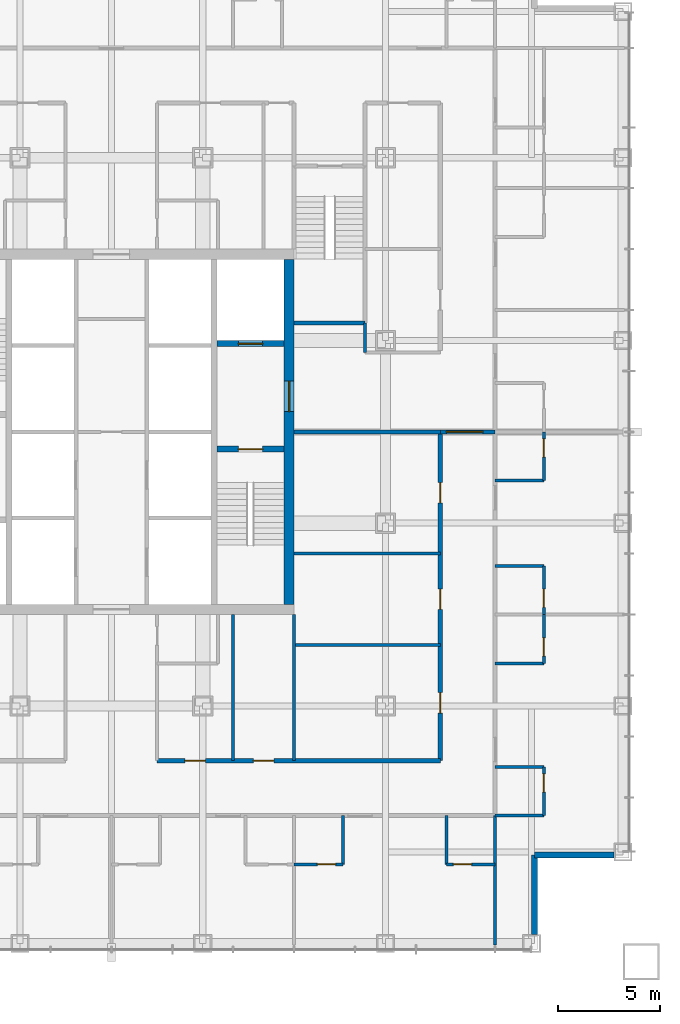
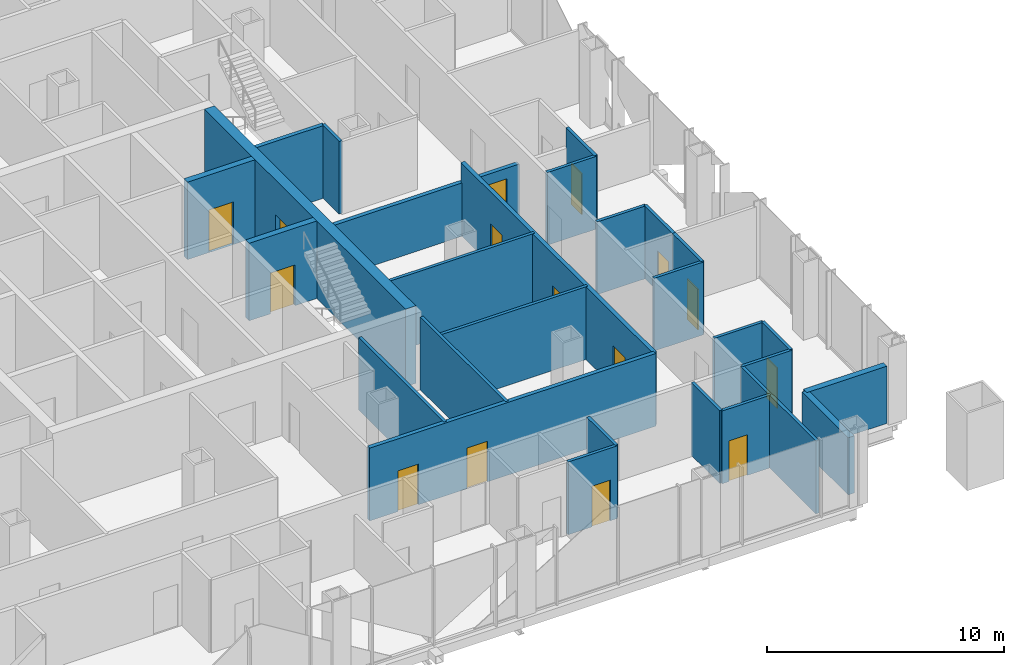
# One storey, part 9 of 13: 29 walls, 15 doors, 15 openings.
"""IFC4 building model written with IfcOpenShell, lengths in metres."""

from ifc_helpers import new_model, si_unit, direction, frame, frame_2d, origin, place, context, subcontext, project, spatial, rectangle, extrude, material, layer, layer_set, type_object, element, fill, save


model = new_model("IFC4")

# Units and contexts
model_context = context("Model", 3, precision=1e-05, world=origin(), true_north=direction((0.0, 1.0)))
body_context = subcontext(model_context, "Body", "Model", "MODEL_VIEW")
ifc_project = project(units=[si_unit("LENGTHUNIT", "METRE"), si_unit("AREAUNIT", "SQUARE_METRE"), si_unit("VOLUMEUNIT", "CUBIC_METRE"), si_unit("PLANEANGLEUNIT", "RADIAN"), si_unit("MASSUNIT", "GRAM", prefix="KILO")], contexts=[model_context])

# Site, building, storey
site_placement = place(None, origin())
site = spatial("IfcSite", under=ifc_project, at=site_placement, CompositionType="ELEMENT")
building_placement = place(site_placement, origin())
building = spatial("IfcBuilding", under=site, at=building_placement, Name="Malebo Sky Hospital", CompositionType="ELEMENT")
storey_placement = place(building_placement, frame((0.0, 0.0, 79.0)))
storey = spatial("IfcBuildingStorey", under=building, at=storey_placement, Name="L18", CompositionType="ELEMENT", Elevation=79.0)

# Wall, opening, door
ifc_material_1 = material(Name="Concrete C80/95", Category="concrete")
ifc_layer_1 = layer(ifc_material_1, 0.300048828125)
ifc_layer_set_1 = layer_set([ifc_layer_1], Name="CORE INNER WALL 300")
wall_type_1 = type_object("IfcWallType", Name="CORE INNER WALL 300", PredefinedType="SHEAR", material=ifc_layer_set_1)
wall_1_placement = place(storey_placement, frame((65.199951171875, 61.14990234375, 0.0), z_axis=(0.0, 0.0, 1.0), x_axis=(1.0, 0.0, 0.0)))
wall_1 = element("IfcWall", 1, at=wall_1_placement, inside=storey, type_object=wall_type_1, Name="Core wall E1 L18", PredefinedType="SHEAR", context=body_context, shape_type="SweptSolid", body=[
    extrude(rectangle(XDim=3.300048828125, YDim=0.300048828125, at=frame_2d((1.64990234375, 0.0))), origin(), (0.0, 0.0, 1.0), 4.0),
])
opening_1_placement = place(wall_1_placement, frame((1.050048828125, 0.0, 0.0)))
opening_1 = element("IfcOpeningElement", 2, at=opening_1_placement, cuts=wall_1, Name="Opening D08", PredefinedType="OPENING", context=body_context, shape_type="SweptSolid", body=[
    extrude(rectangle(XDim=1.199951171875, YDim=2.10009765625, at=frame_2d((0.60009765625, 1.050048828125))), frame((0.0, 0.159912109375, 0.0), z_axis=(0.0, -1.0, 0.0), x_axis=(1.0, 0.0, 0.0)), (0.0, 0.0, 1.0), 0.320068359375),
])
ifc_material_2 = material(Name="Hardwood-faced door leaf in steel frame", Category="steel")
door_type_1 = type_object("IfcDoorType", Name="STAIR DOOR 1200", OperationType="SINGLE_SWING_LEFT", PredefinedType="DOOR", material=ifc_material_2)
door_1_placement = place(opening_1_placement, origin())
door_1 = element("IfcDoor", 3, at=door_1_placement, inside=storey, type_object=door_type_1, Name="Stair S2 door", OperationType="SINGLE_SWING_LEFT", OverallHeight=2.10009765625, OverallWidth=1.199951171875, PredefinedType="DOOR", context=body_context, shape_type="SweptSolid", body=[
    extrude(rectangle(XDim=1.199951171875, YDim=2.10009765625, at=frame_2d((0.60009765625, 1.050048828125))), frame((0.0, 0.02490234375, 0.0), z_axis=(0.0, -1.0, 0.0), x_axis=(1.0, 0.0, 0.0)), (0.0, 0.0, 1.0), 0.050048828125),
])
fill(opening_1, door_1)

wall_2_placement = place(storey_placement, frame((65.199951171875, 66.35009765625, 0.0), z_axis=(0.0, 0.0, 1.0), x_axis=(1.0, 0.0, 0.0)))
wall_2 = element("IfcWall", 4, at=wall_2_placement, inside=storey, type_object=wall_type_1, Name="Core wall E2 L18", PredefinedType="SHEAR", context=body_context, shape_type="SweptSolid", body=[
    extrude(rectangle(XDim=3.300048828125, YDim=0.300048828125, at=frame_2d((1.64990234375, 0.0))), origin(), (0.0, 0.0, 1.0), 4.0),
])
opening_2_placement = place(wall_2_placement, frame((1.050048828125, 0.0, 0.0)))
opening_2 = element("IfcOpeningElement", 5, at=opening_2_placement, cuts=wall_2, Name="Opening LD2", PredefinedType="OPENING", context=body_context, shape_type="SweptSolid", body=[
    extrude(rectangle(XDim=1.199951171875, YDim=2.199951171875, at=frame_2d((0.60009765625, 1.10009765625))), frame((0.0, 0.159912109375, 0.0), z_axis=(0.0, -1.0, 0.0), x_axis=(1.0, 0.0, 0.0)), (0.0, 0.0, 1.0), 0.320068359375),
])
ifc_material_3 = material(Name="Stainless steel sliding landing door", Category="steel")
door_type_2 = type_object("IfcDoorType", Name="FIRE-FIGHTING LIFT LANDING DOOR 1200", OperationType="SLIDING_TO_LEFT", PredefinedType="DOOR", material=ifc_material_3)
door_2_placement = place(opening_2_placement, origin())
door_2 = element("IfcDoor", 6, at=door_2_placement, inside=storey, type_object=door_type_2, Name="Lift FL2 landing door", OperationType="SLIDING_TO_LEFT", OverallHeight=2.199951171875, OverallWidth=1.199951171875, PredefinedType="DOOR", context=body_context, shape_type="SweptSolid", body=[
    extrude(rectangle(XDim=1.199951171875, YDim=2.199951171875, at=frame_2d((0.60009765625, 1.10009765625))), frame((0.0, 0.02490234375, 0.0), z_axis=(0.0, -1.0, 0.0), x_axis=(1.0, 0.0, 0.0)), (0.0, 0.0, 1.0), 0.050048828125),
])
fill(opening_2, door_2)

ifc_layer_2 = layer(ifc_material_1, 0.5)
ifc_layer_set_2 = layer_set([ifc_layer_2], Name="CORE WALL 500")
wall_type_2 = type_object("IfcWallType", Name="CORE WALL 500", PredefinedType="SHEAR", material=ifc_layer_set_2)
wall_3_placement = place(storey_placement, frame((68.75, 53.5, 0.0), z_axis=(0.0, 0.0, 1.0), x_axis=(0.0, 1.0, 0.0)))
wall_3 = element("IfcWall", 7, at=wall_3_placement, inside=storey, type_object=wall_type_2, Name="Core wall E L18", PredefinedType="SHEAR", context=body_context, shape_type="SweptSolid", body=[
    extrude(rectangle(XDim=17.0, YDim=0.5, at=frame_2d((8.5, 0.0))), origin(), (0.0, 0.0, 1.0), 4.0),
])
opening_3_placement = place(wall_3_placement, frame((9.5, 0.0, 0.0)))
opening_3 = element("IfcOpeningElement", 8, at=opening_3_placement, cuts=wall_3, Name="Opening D07", PredefinedType="OPENING", context=body_context, shape_type="SweptSolid", body=[
    extrude(rectangle(XDim=1.5, YDim=2.199951171875, at=frame_2d((0.75, 1.10009765625))), frame((0.0, 0.260009765625, 0.0), z_axis=(0.0, -1.0, 0.0), x_axis=(1.0, 0.0, 0.0)), (0.0, 0.0, 1.0), 0.52001953125),
])
door_type_3 = type_object("IfcDoorType", Name="FIRE-FIGHTING LOBBY DOOR PAIR 1500", OperationType="DOUBLE_DOOR_SINGLE_SWING", PredefinedType="DOOR", material=ifc_material_2)
door_3_placement = place(opening_3_placement, origin())
door_3 = element("IfcDoor", 9, at=door_3_placement, inside=storey, type_object=door_type_3, Name="Fire-fighting lobby door east", OperationType="DOUBLE_DOOR_SINGLE_SWING", OverallHeight=2.199951171875, OverallWidth=1.5, PredefinedType="DOOR", context=body_context, shape_type="SweptSolid", body=[
    extrude(rectangle(XDim=1.5, YDim=2.199951171875, at=frame_2d((0.75, 1.10009765625))), frame((0.0, 0.02490234375, 0.0), z_axis=(0.0, -1.0, 0.0), x_axis=(1.0, 0.0, 0.0)), (0.0, 0.0, 1.0), 0.050048828125),
])
fill(opening_3, door_3)

# Wall, openings, doors
ifc_material_4 = material(Name="Gypsum board on steel studs", Category="steel")
ifc_layer_3 = layer(ifc_material_4, 0.199951171875)
ifc_layer_set_3 = layer_set([ifc_layer_3], Name="CORRIDOR WALL 200")
wall_type_3 = type_object("IfcWallType", Name="CORRIDOR WALL 200", PredefinedType="PARTITIONING", material=ifc_layer_set_3)
wall_4_placement = place(storey_placement, frame((76.199951171875, 45.800048828125, 0.0), z_axis=(0.0, 0.0, 1.0), x_axis=(-1.0, 0.0, 0.0)))
wall_4 = element("IfcWall", 10, at=wall_4_placement, inside=storey, type_object=wall_type_3, Name="Corridor Wall 200 SCI1", PredefinedType="PARTITIONING", context=body_context, shape_type="SweptSolid", body=[
    extrude(rectangle(XDim=13.949951171875, YDim=0.199951171875, at=frame_2d((6.97509765625, 0.0))), origin(), (0.0, 0.0, 1.0), 3.75),
])
opening_4_placement = place(wall_4_placement, frame((8.199951171875, 0.0, 0.0)))
opening_4 = element("IfcOpeningElement", 11, at=opening_4_placement, cuts=wall_4, Name="Opening D03", PredefinedType="OPENING", context=body_context, shape_type="SweptSolid", body=[
    extrude(rectangle(XDim=1.0, YDim=2.10009765625, at=frame_2d((0.5, 1.050048828125))), frame((0.0, 0.10986328125, 0.0), z_axis=(0.0, -1.0, 0.0), x_axis=(1.0, 0.0, 0.0)), (0.0, 0.0, 1.0), 0.219970703125),
])
opening_5_placement = place(wall_4_placement, frame((11.574951171875, 0.0, 0.0)))
opening_5 = element("IfcOpeningElement", 12, at=opening_5_placement, cuts=wall_4, Name="Opening D03", PredefinedType="OPENING", context=body_context, shape_type="SweptSolid", body=[
    extrude(rectangle(XDim=1.0, YDim=2.10009765625, at=frame_2d((0.5, 1.050048828125))), frame((0.0, 0.10986328125, 0.0), z_axis=(0.0, -1.0, 0.0), x_axis=(1.0, 0.0, 0.0)), (0.0, 0.0, 1.0), 0.219970703125),
])
door_type_4 = type_object("IfcDoorType", Name="ROOM DOOR 1000", OperationType="SINGLE_SWING_LEFT", PredefinedType="DOOR", material=ifc_material_2)
door_4_placement = place(opening_4_placement, origin())
door_4 = element("IfcDoor", 13, at=door_4_placement, inside=storey, type_object=door_type_4, Name="Medication room door", OperationType="SINGLE_SWING_LEFT", OverallHeight=2.10009765625, OverallWidth=1.0, PredefinedType="DOOR", context=body_context, shape_type="SweptSolid", body=[
    extrude(rectangle(XDim=1.0, YDim=2.10009765625, at=frame_2d((0.5, 1.050048828125))), frame((0.0, 0.02490234375, 0.0), z_axis=(0.0, -1.0, 0.0), x_axis=(1.0, 0.0, 0.0)), (0.0, 0.0, 1.0), 0.050048828125),
])
fill(opening_4, door_4)
door_5_placement = place(opening_5_placement, origin())
door_5 = element("IfcDoor", 14, at=door_5_placement, inside=storey, type_object=door_type_4, Name="Assisted bathroom door", OperationType="SINGLE_SWING_LEFT", OverallHeight=2.10009765625, OverallWidth=1.0, PredefinedType="DOOR", context=body_context, shape_type="SweptSolid", body=[
    extrude(rectangle(XDim=1.0, YDim=2.10009765625, at=frame_2d((0.5, 1.050048828125))), frame((0.0, 0.02490234375, 0.0), z_axis=(0.0, -1.0, 0.0), x_axis=(1.0, 0.0, 0.0)), (0.0, 0.0, 1.0), 0.050048828125),
])
fill(opening_5, door_5)

wall_5_placement = place(storey_placement, frame((76.199951171875, 62.0, 0.0), z_axis=(0.0, 0.0, 1.0), x_axis=(0.0, -1.0, 0.0)))
wall_5 = element("IfcWall", 15, at=wall_5_placement, inside=storey, type_object=wall_type_3, Name="Corridor Wall 200 ECI2", PredefinedType="PARTITIONING", context=body_context, shape_type="SweptSolid", body=[
    extrude(rectangle(XDim=16.199951171875, YDim=0.199951171875, at=frame_2d((8.10009765625, 0.0))), origin(), (0.0, 0.0, 1.0), 3.75),
])
opening_6_placement = place(wall_5_placement, frame((2.5, 0.0, 0.0)))
opening_6 = element("IfcOpeningElement", 16, at=opening_6_placement, cuts=wall_5, Name="Opening D03", PredefinedType="OPENING", context=body_context, shape_type="SweptSolid", body=[
    extrude(rectangle(XDim=1.0, YDim=2.10009765625, at=frame_2d((0.5, 1.050048828125))), frame((0.0, 0.10986328125, 0.0), z_axis=(0.0, -1.0, 0.0), x_axis=(1.0, 0.0, 0.0)), (0.0, 0.0, 1.0), 0.219970703125),
])
opening_7_placement = place(wall_5_placement, frame((7.75, 0.0, 0.0)))
opening_7 = element("IfcOpeningElement", 17, at=opening_7_placement, cuts=wall_5, Name="Opening D03", PredefinedType="OPENING", context=body_context, shape_type="SweptSolid", body=[
    extrude(rectangle(XDim=1.0, YDim=2.10009765625, at=frame_2d((0.5, 1.050048828125))), frame((0.0, 0.10986328125, 0.0), z_axis=(0.0, -1.0, 0.0), x_axis=(1.0, 0.0, 0.0)), (0.0, 0.0, 1.0), 0.219970703125),
])
opening_8_placement = place(wall_5_placement, frame((12.85009765625, 0.0, 0.0)))
opening_8 = element("IfcOpeningElement", 18, at=opening_8_placement, cuts=wall_5, Name="Opening D03", PredefinedType="OPENING", context=body_context, shape_type="SweptSolid", body=[
    extrude(rectangle(XDim=1.0, YDim=2.10009765625, at=frame_2d((0.5, 1.050048828125))), frame((0.0, 0.10986328125, 0.0), z_axis=(0.0, -1.0, 0.0), x_axis=(1.0, 0.0, 0.0)), (0.0, 0.0, 1.0), 0.219970703125),
])
door_6_placement = place(opening_6_placement, origin())
door_6 = element("IfcDoor", 19, at=door_6_placement, inside=storey, type_object=door_type_4, Name="Treatment room door", OperationType="SINGLE_SWING_LEFT", OverallHeight=2.10009765625, OverallWidth=1.0, PredefinedType="DOOR", context=body_context, shape_type="SweptSolid", body=[
    extrude(rectangle(XDim=1.0, YDim=2.10009765625, at=frame_2d((0.5, 1.050048828125))), frame((0.0, 0.02490234375, 0.0), z_axis=(0.0, -1.0, 0.0), x_axis=(1.0, 0.0, 0.0)), (0.0, 0.0, 1.0), 0.050048828125),
])
fill(opening_6, door_6)
door_7_placement = place(opening_7_placement, origin())
door_7 = element("IfcDoor", 20, at=door_7_placement, inside=storey, type_object=door_type_4, Name="Wheelchair store door", OperationType="SINGLE_SWING_LEFT", OverallHeight=2.10009765625, OverallWidth=1.0, PredefinedType="DOOR", context=body_context, shape_type="SweptSolid", body=[
    extrude(rectangle(XDim=1.0, YDim=2.10009765625, at=frame_2d((0.5, 1.050048828125))), frame((0.0, 0.02490234375, 0.0), z_axis=(0.0, -1.0, 0.0), x_axis=(1.0, 0.0, 0.0)), (0.0, 0.0, 1.0), 0.050048828125),
])
fill(opening_7, door_7)
door_8_placement = place(opening_8_placement, origin())
door_8 = element("IfcDoor", 21, at=door_8_placement, inside=storey, type_object=door_type_4, Name="Occupational therapy kitchen door", OperationType="SINGLE_SWING_RIGHT", OverallHeight=2.10009765625, OverallWidth=1.0, PredefinedType="DOOR", context=body_context, shape_type="SweptSolid", body=[
    extrude(rectangle(XDim=1.0, YDim=2.10009765625, at=frame_2d((0.5, 1.050048828125))), frame((0.0, 0.02490234375, 0.0), z_axis=(0.0, -1.0, 0.0), x_axis=(1.0, 0.0, 0.0)), (0.0, 0.0, 1.0), 0.050048828125),
])
fill(opening_8, door_8)

# Walls
ifc_material_5 = material(Name="Anodised aluminium rainscreen on steel framing", Category="steel")
ifc_layer_4 = layer(ifc_material_5, 0.300048828125)
ifc_layer_set_4 = layer_set([ifc_layer_4], Name="NOTCH RAINSCREEN WALL 300")
wall_type_4 = type_object("IfcWallType", Name="NOTCH RAINSCREEN WALL 300", PredefinedType="ELEMENTEDWALL", material=ifc_layer_set_4)
for number, where, z_axis, x_axis, name in (
    (22, (84.75, 41.14990234375, 0.0), (0.0, 0.0, 1.0), (-1.0, 0.0, 0.0), "Notch rainscreen wall E1 L18"),
    (23, (80.85009765625, 41.14990234375, 0.0), (0.0, 0.0, 1.0), (0.0, -1.0, 0.0), "Notch rainscreen wall E2 L18"),
):
    element("IfcWall", number, at=place(storey_placement, frame(where, z_axis=z_axis, x_axis=x_axis)), inside=storey, type_object=wall_type_4, Name=name, PredefinedType="ELEMENTEDWALL", context=body_context, shape_type="SweptSolid", body=[
        extrude(rectangle(XDim=3.89990234375, YDim=0.300048828125, at=frame_2d((1.949951171875, 0.0))), origin(), (0.0, 0.0, 1.0), 2.949951171875),
    ])
ifc_layer_5 = layer(ifc_material_4, 0.14990234375)
ifc_layer_set_5 = layer_set([ifc_layer_5], Name="PARTITION 150")
wall_type_5 = type_object("IfcWallType", Name="PARTITION 150", PredefinedType="PARTITIONING", material=ifc_layer_set_5)
wall_6_placement = place(storey_placement, frame((78.89990234375, 43.10009765625, 0.0), z_axis=(0.0, 0.0, 1.0), x_axis=(0.0, -1.0, 0.0)))
element("IfcWall", 24, at=wall_6_placement, inside=storey, type_object=wall_type_5, Name="Partition 150 SP0", PredefinedType="PARTITIONING", context=body_context, shape_type="SweptSolid", body=[
    extrude(rectangle(XDim=6.375, YDim=0.14990234375, at=frame_2d((3.1875, 0.0))), origin(), (0.0, 0.0, 1.0), 3.75),
])

# Wall, opening, door
wall_7_placement = place(storey_placement, frame((71.39990234375, 40.699951171875, 0.0), z_axis=(0.0, 0.0, 1.0), x_axis=(-1.0, 0.0, 0.0)))
wall_7 = element("IfcWall", 25, at=wall_7_placement, inside=storey, type_object=wall_type_5, Name="Partition 150 SE0F", PredefinedType="PARTITIONING", context=body_context, shape_type="SweptSolid", body=[
    extrude(rectangle(XDim=2.39990234375, YDim=0.14990234375, at=frame_2d((1.199951171875, 0.0))), origin(), (0.0, 0.0, 1.0), 3.75),
])
opening_9_placement = place(wall_7_placement, frame((0.35009765625, 0.0, 0.0)))
opening_9 = element("IfcOpeningElement", 26, at=opening_9_placement, cuts=wall_7, Name="Opening D02", PredefinedType="OPENING", context=body_context, shape_type="SweptSolid", body=[
    extrude(rectangle(XDim=0.89990234375, YDim=2.10009765625, at=frame_2d((0.449951171875, 1.050048828125))), frame((0.0, 0.0849609375, 0.0), z_axis=(0.0, -1.0, 0.0), x_axis=(1.0, 0.0, 0.0)), (0.0, 0.0, 1.0), 0.169921875),
])
door_type_5 = type_object("IfcDoorType", Name="EN-SUITE DOOR 900", OperationType="SINGLE_SWING_LEFT", PredefinedType="DOOR", material=ifc_material_2)
door_9_placement = place(opening_9_placement, origin())
door_9 = element("IfcDoor", 27, at=door_9_placement, inside=storey, type_object=door_type_5, Name="En-suite door", OperationType="SINGLE_SWING_LEFT", OverallHeight=2.10009765625, OverallWidth=0.89990234375, PredefinedType="DOOR", context=body_context, shape_type="SweptSolid", body=[
    extrude(rectangle(XDim=0.89990234375, YDim=2.10009765625, at=frame_2d((0.449951171875, 1.050048828125))), frame((0.0, 0.02490234375, 0.0), z_axis=(0.0, -1.0, 0.0), x_axis=(1.0, 0.0, 0.0)), (0.0, 0.0, 1.0), 0.050048828125),
])
fill(opening_9, door_9)

# Wall
wall_8_placement = place(storey_placement, frame((71.39990234375, 43.10009765625, 0.0), z_axis=(0.0, 0.0, 1.0), x_axis=(0.0, -1.0, 0.0)))
element("IfcWall", 28, at=wall_8_placement, inside=storey, type_object=wall_type_5, Name="Partition 150 SE0S", PredefinedType="PARTITIONING", context=body_context, shape_type="SweptSolid", body=[
    extrude(rectangle(XDim=2.400146484375, YDim=0.14990234375, at=frame_2d((1.2001953125, 0.0))), origin(), (0.0, 0.0, 1.0), 3.75),
])

# Wall, opening, door
wall_9_placement = place(storey_placement, frame((78.89990234375, 40.699951171875, 0.0), z_axis=(0.0, 0.0, 1.0), x_axis=(-1.0, 0.0, 0.0)))
wall_9 = element("IfcWall", 29, at=wall_9_placement, inside=storey, type_object=wall_type_5, Name="Partition 150 SG0F", PredefinedType="PARTITIONING", context=body_context, shape_type="SweptSolid", body=[
    extrude(rectangle(XDim=2.39990234375, YDim=0.14990234375, at=frame_2d((1.199951171875, 0.0))), origin(), (0.0, 0.0, 1.0), 3.75),
])
opening_10_placement = place(wall_9_placement, frame((1.14990234375, 0.0, 0.0)))
opening_10 = element("IfcOpeningElement", 30, at=opening_10_placement, cuts=wall_9, Name="Opening D02", PredefinedType="OPENING", context=body_context, shape_type="SweptSolid", body=[
    extrude(rectangle(XDim=0.89990234375, YDim=2.10009765625, at=frame_2d((0.449951171875, 1.050048828125))), frame((0.0, 0.0849609375, 0.0), z_axis=(0.0, -1.0, 0.0), x_axis=(1.0, 0.0, 0.0)), (0.0, 0.0, 1.0), 0.169921875),
])
door_10_placement = place(opening_10_placement, origin())
door_10 = element("IfcDoor", 31, at=door_10_placement, inside=storey, type_object=door_type_5, Name="En-suite door", OperationType="SINGLE_SWING_RIGHT", OverallHeight=2.10009765625, OverallWidth=0.89990234375, PredefinedType="DOOR", context=body_context, shape_type="SweptSolid", body=[
    extrude(rectangle(XDim=0.89990234375, YDim=2.10009765625, at=frame_2d((0.449951171875, 1.050048828125))), frame((0.0, 0.02490234375, 0.0), z_axis=(0.0, -1.0, 0.0), x_axis=(1.0, 0.0, 0.0)), (0.0, 0.0, 1.0), 0.050048828125),
])
fill(opening_10, door_10)

# Walls
wall_10_placement = place(storey_placement, frame((76.5, 43.10009765625, 0.0), z_axis=(0.0, 0.0, 1.0), x_axis=(0.0, -1.0, 0.0)))
element("IfcWall", 32, at=wall_10_placement, inside=storey, type_object=wall_type_5, Name="Partition 150 SG0S", PredefinedType="PARTITIONING", context=body_context, shape_type="SweptSolid", body=[
    extrude(rectangle(XDim=2.400146484375, YDim=0.14990234375, at=frame_2d((1.2001953125, 0.0))), origin(), (0.0, 0.0, 1.0), 3.75),
])
for number, where, z_axis, x_axis, name in (
    (33, (69.0, 53.0, 0.0), (0.0, 0.0, 1.0), (0.0, -1.0, 0.0), "Partition 150 SSP0"),
    (34, (66.0, 53.0, 0.0), (0.0, 0.0, 1.0), (0.0, -1.0, 0.0), "Partition 150 SSP-6.0"),
):
    element("IfcWall", number, at=place(storey_placement, frame(where, z_axis=z_axis, x_axis=x_axis)), inside=storey, type_object=wall_type_5, Name=name, PredefinedType="PARTITIONING", context=body_context, shape_type="SweptSolid", body=[
        extrude(rectangle(XDim=7.199951171875, YDim=0.14990234375, at=frame_2d((3.60009765625, 0.0))), origin(), (0.0, 0.0, 1.0), 3.75),
    ])

# Wall, opening, door
wall_11_placement = place(storey_placement, frame((81.300048828125, 62.0, 0.0), z_axis=(0.0, 0.0, 1.0), x_axis=(0.0, -1.0, 0.0)))
wall_11 = element("IfcWall", 35, at=wall_11_placement, inside=storey, type_object=wall_type_5, Name="Partition 150 EE3F", PredefinedType="PARTITIONING", context=body_context, shape_type="SweptSolid", body=[
    extrude(rectangle(XDim=2.39990234375, YDim=0.14990234375, at=frame_2d((1.199951171875, 0.0))), origin(), (0.0, 0.0, 1.0), 3.75),
])
opening_11_placement = place(wall_11_placement, frame((0.35009765625, 0.0, 0.0)))
opening_11 = element("IfcOpeningElement", 36, at=opening_11_placement, cuts=wall_11, Name="Opening D02", PredefinedType="OPENING", context=body_context, shape_type="SweptSolid", body=[
    extrude(rectangle(XDim=0.89990234375, YDim=2.10009765625, at=frame_2d((0.449951171875, 1.050048828125))), frame((0.0, 0.0849609375, 0.0), z_axis=(0.0, -1.0, 0.0), x_axis=(1.0, 0.0, 0.0)), (0.0, 0.0, 1.0), 0.169921875),
])
door_11_placement = place(opening_11_placement, origin())
door_11 = element("IfcDoor", 37, at=door_11_placement, inside=storey, type_object=door_type_5, Name="En-suite door", OperationType="SINGLE_SWING_LEFT", OverallHeight=2.10009765625, OverallWidth=0.89990234375, PredefinedType="DOOR", context=body_context, shape_type="SweptSolid", body=[
    extrude(rectangle(XDim=0.89990234375, YDim=2.10009765625, at=frame_2d((0.449951171875, 1.050048828125))), frame((0.0, 0.02490234375, 0.0), z_axis=(0.0, -1.0, 0.0), x_axis=(1.0, 0.0, 0.0)), (0.0, 0.0, 1.0), 0.050048828125),
])
fill(opening_11, door_11)

# Wall
wall_12_placement = place(storey_placement, frame((78.89990234375, 59.60009765625, 0.0), z_axis=(0.0, 0.0, 1.0), x_axis=(1.0, 0.0, 0.0)))
element("IfcWall", 38, at=wall_12_placement, inside=storey, type_object=wall_type_5, Name="Partition 150 EE3S", PredefinedType="PARTITIONING", context=body_context, shape_type="SweptSolid", body=[
    extrude(rectangle(XDim=2.400146484375, YDim=0.14990234375, at=frame_2d((1.2001953125, 0.0))), origin(), (0.0, 0.0, 1.0), 3.75),
])

# Wall, opening, door
wall_13_placement = place(storey_placement, frame((81.300048828125, 55.39990234375, 0.0), z_axis=(0.0, 0.0, 1.0), x_axis=(0.0, -1.0, 0.0)))
wall_13 = element("IfcWall", 39, at=wall_13_placement, inside=storey, type_object=wall_type_5, Name="Partition 150 EG3F", PredefinedType="PARTITIONING", context=body_context, shape_type="SweptSolid", body=[
    extrude(rectangle(XDim=2.39990234375, YDim=0.14990234375, at=frame_2d((1.199951171875, 0.0))), origin(), (0.0, 0.0, 1.0), 3.75),
])
opening_12_placement = place(wall_13_placement, frame((1.14990234375, 0.0, 0.0)))
opening_12 = element("IfcOpeningElement", 40, at=opening_12_placement, cuts=wall_13, Name="Opening D02", PredefinedType="OPENING", context=body_context, shape_type="SweptSolid", body=[
    extrude(rectangle(XDim=0.89990234375, YDim=2.10009765625, at=frame_2d((0.449951171875, 1.050048828125))), frame((0.0, 0.0849609375, 0.0), z_axis=(0.0, -1.0, 0.0), x_axis=(1.0, 0.0, 0.0)), (0.0, 0.0, 1.0), 0.169921875),
])
door_12_placement = place(opening_12_placement, origin())
door_12 = element("IfcDoor", 41, at=door_12_placement, inside=storey, type_object=door_type_5, Name="En-suite door", OperationType="SINGLE_SWING_RIGHT", OverallHeight=2.10009765625, OverallWidth=0.89990234375, PredefinedType="DOOR", context=body_context, shape_type="SweptSolid", body=[
    extrude(rectangle(XDim=0.89990234375, YDim=2.10009765625, at=frame_2d((0.449951171875, 1.050048828125))), frame((0.0, 0.02490234375, 0.0), z_axis=(0.0, -1.0, 0.0), x_axis=(1.0, 0.0, 0.0)), (0.0, 0.0, 1.0), 0.050048828125),
])
fill(opening_12, door_12)

# Wall
wall_14_placement = place(storey_placement, frame((78.89990234375, 55.39990234375, 0.0), z_axis=(0.0, 0.0, 1.0), x_axis=(1.0, 0.0, 0.0)))
element("IfcWall", 42, at=wall_14_placement, inside=storey, type_object=wall_type_5, Name="Partition 150 EG3S", PredefinedType="PARTITIONING", context=body_context, shape_type="SweptSolid", body=[
    extrude(rectangle(XDim=2.400146484375, YDim=0.14990234375, at=frame_2d((1.2001953125, 0.0))), origin(), (0.0, 0.0, 1.0), 3.75),
])

# Wall, opening, door
wall_15_placement = place(storey_placement, frame((81.300048828125, 45.5, 0.0), z_axis=(0.0, 0.0, 1.0), x_axis=(0.0, -1.0, 0.0)))
wall_15 = element("IfcWall", 43, at=wall_15_placement, inside=storey, type_object=wall_type_5, Name="Partition 150 EE4F", PredefinedType="PARTITIONING", context=body_context, shape_type="SweptSolid", body=[
    extrude(rectangle(XDim=2.39990234375, YDim=0.14990234375, at=frame_2d((1.199951171875, 0.0))), origin(), (0.0, 0.0, 1.0), 3.75),
])
opening_13_placement = place(wall_15_placement, frame((0.35009765625, 0.0, 0.0)))
opening_13 = element("IfcOpeningElement", 44, at=opening_13_placement, cuts=wall_15, Name="Opening D02", PredefinedType="OPENING", context=body_context, shape_type="SweptSolid", body=[
    extrude(rectangle(XDim=0.89990234375, YDim=2.10009765625, at=frame_2d((0.449951171875, 1.050048828125))), frame((0.0, 0.0849609375, 0.0), z_axis=(0.0, -1.0, 0.0), x_axis=(1.0, 0.0, 0.0)), (0.0, 0.0, 1.0), 0.169921875),
])
door_13_placement = place(opening_13_placement, origin())
door_13 = element("IfcDoor", 45, at=door_13_placement, inside=storey, type_object=door_type_5, Name="En-suite door", OperationType="SINGLE_SWING_LEFT", OverallHeight=2.10009765625, OverallWidth=0.89990234375, PredefinedType="DOOR", context=body_context, shape_type="SweptSolid", body=[
    extrude(rectangle(XDim=0.89990234375, YDim=2.10009765625, at=frame_2d((0.449951171875, 1.050048828125))), frame((0.0, 0.02490234375, 0.0), z_axis=(0.0, -1.0, 0.0), x_axis=(1.0, 0.0, 0.0)), (0.0, 0.0, 1.0), 0.050048828125),
])
fill(opening_13, door_13)

# Wall
wall_16_placement = place(storey_placement, frame((78.89990234375, 45.5, 0.0), z_axis=(0.0, 0.0, 1.0), x_axis=(1.0, 0.0, 0.0)))
element("IfcWall", 46, at=wall_16_placement, inside=storey, type_object=wall_type_5, Name="Partition 150 EE4S", PredefinedType="PARTITIONING", context=body_context, shape_type="SweptSolid", body=[
    extrude(rectangle(XDim=2.400146484375, YDim=0.14990234375, at=frame_2d((1.2001953125, 0.0))), origin(), (0.0, 0.0, 1.0), 3.75),
])

# Wall, opening, door
wall_17_placement = place(storey_placement, frame((81.300048828125, 53.0, 0.0), z_axis=(0.0, 0.0, 1.0), x_axis=(0.0, -1.0, 0.0)))
wall_17 = element("IfcWall", 47, at=wall_17_placement, inside=storey, type_object=wall_type_5, Name="Partition 150 EG4F", PredefinedType="PARTITIONING", context=body_context, shape_type="SweptSolid", body=[
    extrude(rectangle(XDim=2.39990234375, YDim=0.14990234375, at=frame_2d((1.199951171875, 0.0))), origin(), (0.0, 0.0, 1.0), 3.75),
])
opening_14_placement = place(wall_17_placement, frame((1.14990234375, 0.0, 0.0)))
opening_14 = element("IfcOpeningElement", 48, at=opening_14_placement, cuts=wall_17, Name="Opening D02", PredefinedType="OPENING", context=body_context, shape_type="SweptSolid", body=[
    extrude(rectangle(XDim=0.89990234375, YDim=2.10009765625, at=frame_2d((0.449951171875, 1.050048828125))), frame((0.0, 0.0849609375, 0.0), z_axis=(0.0, -1.0, 0.0), x_axis=(1.0, 0.0, 0.0)), (0.0, 0.0, 1.0), 0.169921875),
])
door_14_placement = place(opening_14_placement, origin())
door_14 = element("IfcDoor", 49, at=door_14_placement, inside=storey, type_object=door_type_5, Name="En-suite door", OperationType="SINGLE_SWING_RIGHT", OverallHeight=2.10009765625, OverallWidth=0.89990234375, PredefinedType="DOOR", context=body_context, shape_type="SweptSolid", body=[
    extrude(rectangle(XDim=0.89990234375, YDim=2.10009765625, at=frame_2d((0.449951171875, 1.050048828125))), frame((0.0, 0.02490234375, 0.0), z_axis=(0.0, -1.0, 0.0), x_axis=(1.0, 0.0, 0.0)), (0.0, 0.0, 1.0), 0.050048828125),
])
fill(opening_14, door_14)

# Walls
for number, where, z_axis, x_axis, name in (
    (50, (78.89990234375, 50.60009765625, 0.0), (0.0, 0.0, 1.0), (1.0, 0.0, 0.0), "Partition 150 EG4S"),
    (51, (78.89990234375, 43.10009765625, 0.0), (0.0, 0.0, 1.0), (1.0, 0.0, 0.0), "Partition 150 EEZ"),
):
    element("IfcWall", number, at=place(storey_placement, frame(where, z_axis=z_axis, x_axis=x_axis)), inside=storey, type_object=wall_type_5, Name=name, PredefinedType="PARTITIONING", context=body_context, shape_type="SweptSolid", body=[
        extrude(rectangle(XDim=2.400146484375, YDim=0.14990234375, at=frame_2d((1.2001953125, 0.0))), origin(), (0.0, 0.0, 1.0), 3.75),
    ])
for number, where, z_axis, x_axis, name in (
    (52, (69.0, 56.0, 0.0), (0.0, 0.0, 1.0), (1.0, 0.0, 0.0), "Partition 150 ESP+6.0"),
    (53, (69.0, 51.5, 0.0), (0.0, 0.0, 1.0), (1.0, 0.0, 0.0), "Partition 150 ESP+10.5"),
):
    element("IfcWall", number, at=place(storey_placement, frame(where, z_axis=z_axis, x_axis=x_axis)), inside=storey, type_object=wall_type_5, Name=name, PredefinedType="PARTITIONING", context=body_context, shape_type="SweptSolid", body=[
        extrude(rectangle(XDim=7.199951171875, YDim=0.14990234375, at=frame_2d((3.60009765625, 0.0))), origin(), (0.0, 0.0, 1.0), 3.75),
    ])
wall_18_placement = place(storey_placement, frame((72.5, 65.89990234375, 0.0), z_axis=(0.0, 0.0, 1.0), x_axis=(0.0, 1.0, 0.0)))
element("IfcWall", 54, at=wall_18_placement, inside=storey, type_object=wall_type_5, Name="Partition 150 ST3C", PredefinedType="PARTITIONING", context=body_context, shape_type="SweptSolid", body=[
    extrude(rectangle(XDim=1.4501953125, YDim=0.14990234375, at=frame_2d((0.72509765625, 0.0))), origin(), (0.0, 0.0, 1.0), 3.75),
])
ifc_material_6 = material(Name="Concrete blockwork", Category="masonry")
ifc_layer_6 = layer(ifc_material_6, 0.199951171875)
ifc_layer_set_6 = layer_set([ifc_layer_6], Name="SMOKE BARRIER WALL 200")
wall_type_6 = type_object("IfcWallType", Name="SMOKE BARRIER WALL 200", PredefinedType="SOLIDWALL", material=ifc_layer_set_6)
wall_19_placement = place(storey_placement, frame((69.0, 62.0, 0.0), z_axis=(0.0, 0.0, 1.0), x_axis=(1.0, 0.0, 0.0)))
element("IfcWall", 55, at=wall_19_placement, inside=storey, type_object=wall_type_6, Name="Smoke Barrier Wall 200 ESPB", PredefinedType="SOLIDWALL", context=body_context, shape_type="SweptSolid", body=[
    extrude(rectangle(XDim=7.199951171875, YDim=0.199951171875, at=frame_2d((3.60009765625, 0.0))), origin(), (0.0, 0.0, 1.0), 2.75),
])

# Wall, opening, door
wall_20_placement = place(storey_placement, frame((76.199951171875, 62.0, 0.0), z_axis=(0.0, 0.0, 1.0), x_axis=(1.0, 0.0, 0.0)))
wall_20 = element("IfcWall", 56, at=wall_20_placement, inside=storey, type_object=wall_type_6, Name="Smoke Barrier Wall 200 ESB", PredefinedType="SOLIDWALL", context=body_context, shape_type="SweptSolid", body=[
    extrude(rectangle(XDim=2.699951171875, YDim=0.199951171875, at=frame_2d((1.35009765625, 0.0))), origin(), (0.0, 0.0, 1.0), 2.75),
])
opening_15_placement = place(wall_20_placement, frame((0.300048828125, 0.0, 0.0)))
opening_15 = element("IfcOpeningElement", 57, at=opening_15_placement, cuts=wall_20, Name="Opening D05", PredefinedType="OPENING", context=body_context, shape_type="SweptSolid", body=[
    extrude(rectangle(XDim=1.800048828125, YDim=2.199951171875, at=frame_2d((0.89990234375, 1.10009765625))), frame((0.0, 0.10986328125, 0.0), z_axis=(0.0, -1.0, 0.0), x_axis=(1.0, 0.0, 0.0)), (0.0, 0.0, 1.0), 0.219970703125),
])
door_type_6 = type_object("IfcDoorType", Name="SMOKE DOOR PAIR 1800", OperationType="DOUBLE_DOOR_DOUBLE_SWING", PredefinedType="DOOR", material=ifc_material_2)
door_15_placement = place(opening_15_placement, origin())
door_15 = element("IfcDoor", 58, at=door_15_placement, inside=storey, type_object=door_type_6, Name="Smoke compartment door pair", OperationType="DOUBLE_DOOR_DOUBLE_SWING", OverallHeight=2.199951171875, OverallWidth=1.800048828125, PredefinedType="DOOR", context=body_context, shape_type="SweptSolid", body=[
    extrude(rectangle(XDim=1.800048828125, YDim=2.199951171875, at=frame_2d((0.89990234375, 1.10009765625))), frame((0.0, 0.02490234375, 0.0), z_axis=(0.0, -1.0, 0.0), x_axis=(1.0, 0.0, 0.0)), (0.0, 0.0, 1.0), 0.050048828125),
])
fill(opening_15, door_15)

# Wall
ifc_material_7 = material(Name="Concrete C40/50", Category="concrete")
ifc_layer_7 = layer(ifc_material_7, 0.199951171875)
ifc_layer_set_7 = layer_set([ifc_layer_7], Name="STAIR ENCLOSURE WALL 200")
wall_type_7 = type_object("IfcWallType", Name="STAIR ENCLOSURE WALL 200", PredefinedType="SOLIDWALL", material=ifc_layer_set_7)
wall_21_placement = place(storey_placement, frame((69.0, 67.35009765625, 0.0), z_axis=(0.0, 0.0, 1.0), x_axis=(1.0, 0.0, 0.0)))
element("IfcWall", 59, at=wall_21_placement, inside=storey, type_object=wall_type_7, Name="Stair Enclosure Wall 200 ST3S", PredefinedType="SOLIDWALL", context=body_context, shape_type="SweptSolid", body=[
    extrude(rectangle(XDim=3.5, YDim=0.199951171875, at=frame_2d((1.75, 0.0))), origin(), (0.0, 0.0, 1.0), 3.75),
])

save(model, "model.ifc")
